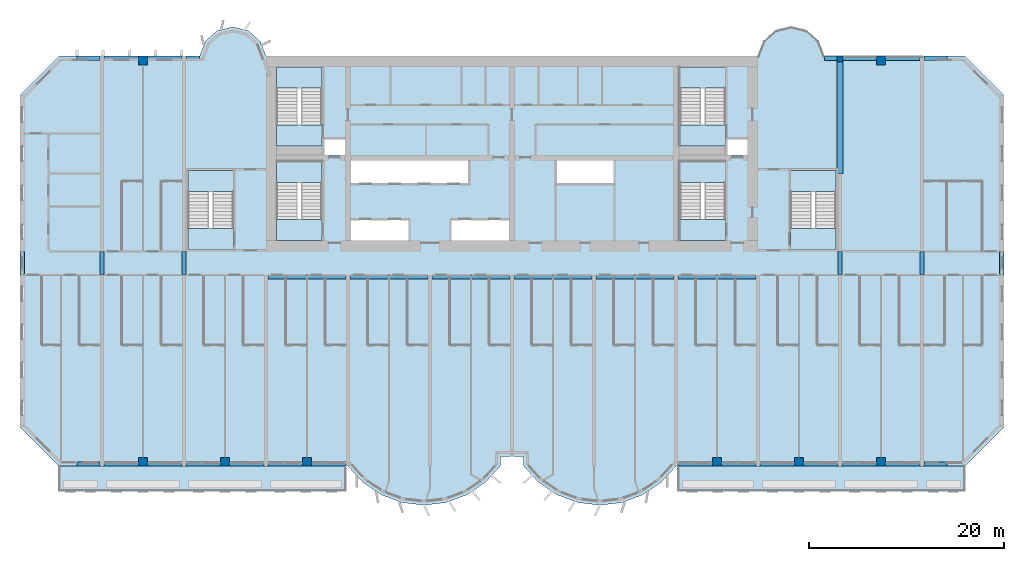
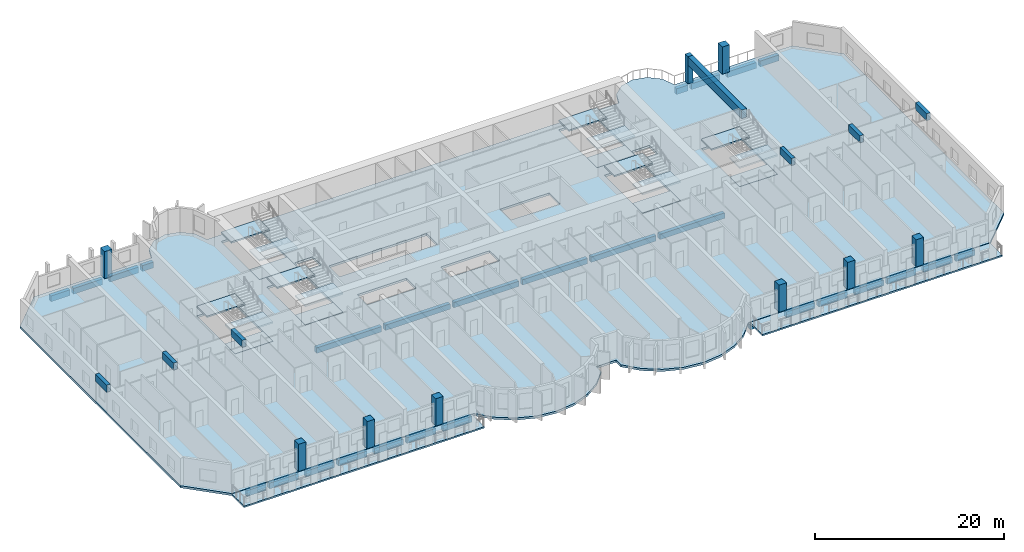
# One storey, part 1 of 14: 35 beams, 21 slabs, 9 columns, 6 elements without a shape of their own.
"""IFC4 building model written with IfcOpenShell, lengths in metres."""

from ifc_helpers import new_model, si_unit, direction, frame, origin, origin_2d, place, context, subcontext, project, spatial, polyline, rectangle, outline, extrude, source, transform, mapped, material, layer, layer_set, material_profile, profile_set, type_object, element, aggregate, save


model = new_model("IFC4")

# Units and contexts
model_context = context("Model", 3, precision=1e-05, world=origin(), true_north=direction((0.0, 1.0)))
body_context = subcontext(model_context, "Body", "Model", "MODEL_VIEW")
ifc_project = project(units=[si_unit("LENGTHUNIT", "METRE"), si_unit("AREAUNIT", "SQUARE_METRE"), si_unit("VOLUMEUNIT", "CUBIC_METRE"), si_unit("PLANEANGLEUNIT", "RADIAN"), si_unit("MASSUNIT", "GRAM", prefix="KILO")], contexts=[model_context])

# Site, building, storey
site_placement = place(None, origin())
site = spatial("IfcSite", under=ifc_project, at=site_placement, CompositionType="ELEMENT")
building_placement = place(site_placement, origin())
building = spatial("IfcBuilding", under=site, at=building_placement, Name="Vanashikhar Sky Hotel", CompositionType="ELEMENT")
storey_placement = place(building_placement, frame((0.0, 0.0, 27.800048828125)))
storey = spatial("IfcBuildingStorey", under=building, at=storey_placement, Name="L05", CompositionType="ELEMENT", Elevation=27.800048828125)

# Columns
ifc_material_1 = material(Name="Concrete M70", Category="concrete")
ifc_material_profile_1 = material_profile(ifc_material_1, rectangle(XDim=0.89990234375, YDim=0.89990234375, at=origin_2d()))
ifc_profile_set_1 = profile_set([ifc_material_profile_1], Name="RC 900x900 column Concrete M70")
column_type_1 = type_object("IfcColumnType", Name="RC 900x900 column Concrete M70", PredefinedType="COLUMN", material=ifc_profile_set_1)
shared_shape_1 = source(origin(), body_context, "Body", "SweptSolid", [
    extrude(rectangle(XDim=0.89990234375, YDim=0.89990234375, at=origin_2d()), origin(), (0.0, 0.0, 1.0), 3.52001953125),
])
for number, where, z_axis, x_axis, name in (
    (1, (12.60009765625, 0.449951171875, 0.0), (0.0, 0.0, 1.0), (1.0, 0.0, 0.0), "CL-L05-CF02"),
    (2, (21.0, 0.449951171875, 0.0), (0.0, 0.0, 1.0), (1.0, 0.0, 0.0), "CL-L05-CF03"),
    (3, (29.39990234375, 0.449951171875, 0.0), (0.0, 0.0, 1.0), (1.0, 0.0, 0.0), "CL-L05-CF04"),
    (4, (71.39990234375, 0.449951171875, 0.0), (0.0, 0.0, 1.0), (1.0, 0.0, 0.0), "CL-L05-CF09"),
    (5, (79.800048828125, 0.449951171875, 0.0), (0.0, 0.0, 1.0), (1.0, 0.0, 0.0), "CL-L05-CF10"),
    (6, (88.199951171875, 0.449951171875, 0.0), (0.0, 0.0, 1.0), (1.0, 0.0, 0.0), "CL-L05-CF11"),
    (7, (12.60009765625, 41.550048828125, 0.0), (0.0, 0.0, 1.0), (1.0, 0.0, 0.0), "CL-L05-CR02"),
    (8, (88.199951171875, 41.550048828125, 0.0), (0.0, 0.0, 1.0), (1.0, 0.0, 0.0), "CL-L05-CR11"),
):
    element("IfcColumn", number, at=place(storey_placement, frame(where, z_axis=z_axis, x_axis=x_axis)), inside=storey, type_object=column_type_1, Name=name, PredefinedType="COLUMN", context=body_context, shape_type="MappedRepresentation", body=[
        mapped(shared_shape_1, transform((0.0, 0.0, 0.0), scale=1.0)),
    ])
ifc_material_profile_2 = material_profile(ifc_material_1, rectangle(XDim=0.60009765625, YDim=0.60009765625, at=origin_2d()))
ifc_profile_set_2 = profile_set([ifc_material_profile_2], Name="RC 600x600 column Concrete M70")
column_type_2 = type_object("IfcColumnType", Name="RC 600x600 column Concrete M70", PredefinedType="COLUMN", material=ifc_profile_set_2)
shared_shape_2 = source(origin(), body_context, "Body", "SweptSolid", [
    extrude(rectangle(XDim=0.60009765625, YDim=0.60009765625, at=origin_2d()), origin(), (0.0, 0.0, 1.0), 3.52001953125),
])
column_placement = place(storey_placement, frame((84.0, 41.699951171875, 0.0), z_axis=(0.0, 0.0, 1.0), x_axis=(1.0, 0.0, 0.0)))
element("IfcColumn", 9, at=column_placement, inside=storey, type_object=column_type_2, Name="CL-L05-CRF", PredefinedType="COLUMN", context=body_context, shape_type="MappedRepresentation", body=[
    mapped(shared_shape_2, transform((0.0, 0.0, 0.0), scale=1.0)),
])

# Beams
ifc_material_2 = material(Name="Concrete M50", Category="concrete")
ifc_material_profile_3 = material_profile(ifc_material_2, rectangle(XDim=0.449951171875, YDim=0.89990234375, at=origin_2d()))
ifc_profile_set_3 = profile_set([ifc_material_profile_3], Name="RC 450x900 beam Concrete M50")
beam_type_1 = type_object("IfcBeamType", Name="RC 450x900 beam Concrete M50", PredefinedType="LINTEL", material=ifc_profile_set_3)
shared_shape_3 = source(origin(), body_context, "Body", "SweptSolid", [
    extrude(rectangle(XDim=0.449951171875, YDim=0.89990234375, at=origin_2d()), origin(), (0.0, 0.0, 1.0), 2.39990234375),
])
for number, where, z_axis, x_axis, name in (
    (10, (0.22509765625, 19.60009765625, 3.070068359375), (0.0, 1.0, 0.0), (-1.0, 0.0, 0.0), "LB-L05-XW01"),
    (11, (8.39990234375, 19.60009765625, 3.070068359375), (0.0, 1.0, 0.0), (-1.0, 0.0, 0.0), "LB-L05-XW02"),
    (12, (16.800048828125, 19.60009765625, 3.070068359375), (0.0, 1.0, 0.0), (-1.0, 0.0, 0.0), "LB-L05-XW03"),
    (13, (84.0, 19.60009765625, 3.070068359375), (0.0, 1.0, 0.0), (-1.0, 0.0, 0.0), "LB-L05-XW11"),
    (14, (92.39990234375, 19.60009765625, 3.070068359375), (0.0, 1.0, 0.0), (-1.0, 0.0, 0.0), "LB-L05-XW12"),
    (15, (100.574951171875, 19.60009765625, 3.070068359375), (0.0, 1.0, 0.0), (-1.0, 0.0, 0.0), "LB-L05-XW13"),
):
    element("IfcBeam", number, at=place(storey_placement, frame(where, z_axis=z_axis, x_axis=x_axis)), inside=storey, type_object=beam_type_1, Name=name, PredefinedType="LINTEL", context=body_context, shape_type="MappedRepresentation", body=[
        mapped(shared_shape_3, transform((0.0, 0.0, 0.0), scale=1.0)),
    ])
ifc_material_profile_4 = material_profile(ifc_material_2, rectangle(XDim=0.449951171875, YDim=0.75, at=origin_2d()))
ifc_profile_set_4 = profile_set([ifc_material_profile_4], Name="RC 450x750 beam Concrete M50")
beam_type_2 = type_object("IfcBeamType", Name="RC 450x750 beam Concrete M50", PredefinedType="SPANDREL", material=ifc_profile_set_4)
shared_shape_4 = source(origin(), body_context, "Body", "SweptSolid", [
    extrude(rectangle(XDim=0.449951171875, YDim=0.75, at=origin_2d()), origin(), (0.0, 0.0, 1.0), 3.52490234375),
])
for number, where, z_axis, x_axis, name in (
    (16, (8.625, 0.22509765625, -0.655029296875), (1.0, 0.0, 0.0), (0.0, 1.0, 0.0), "EB-L05-F01"),
    (17, (13.050048828125, 0.22509765625, -0.655029296875), (1.0, 0.0, 0.0), (0.0, 1.0, 0.0), "EB-L05-F02"),
    (18, (25.425048828125, 0.22509765625, -0.655029296875), (1.0, 0.0, 0.0), (0.0, 1.0, 0.0), "EB-L05-F05"),
    (19, (29.85009765625, 0.22509765625, -0.655029296875), (1.0, 0.0, 0.0), (0.0, 1.0, 0.0), "EB-L05-F06"),
    (20, (67.425048828125, 0.22509765625, -0.655029296875), (1.0, 0.0, 0.0), (0.0, 1.0, 0.0), "EB-L05-F08"),
    (21, (71.85009765625, 0.22509765625, -0.655029296875), (1.0, 0.0, 0.0), (0.0, 1.0, 0.0), "EB-L05-F09"),
    (22, (80.25, 0.22509765625, -0.655029296875), (1.0, 0.0, 0.0), (0.0, 1.0, 0.0), "EB-L05-F11"),
    (23, (84.22509765625, 0.22509765625, -0.655029296875), (1.0, 0.0, 0.0), (0.0, 1.0, 0.0), "EB-L05-F12"),
    (24, (8.625, 41.77490234375, -0.655029296875), (1.0, 0.0, 0.0), (0.0, 1.0, 0.0), "EB-L05-R01"),
    (25, (13.050048828125, 41.77490234375, -0.655029296875), (1.0, 0.0, 0.0), (0.0, 1.0, 0.0), "EB-L05-R02"),
    (26, (84.22509765625, 41.77490234375, -0.655029296875), (1.0, 0.0, 0.0), (0.0, 1.0, 0.0), "EB-L05-R05"),
):
    element("IfcBeam", number, at=place(storey_placement, frame(where, z_axis=z_axis, x_axis=x_axis)), inside=storey, type_object=beam_type_2, Name=name, PredefinedType="SPANDREL", context=body_context, shape_type="MappedRepresentation", body=[
        mapped(shared_shape_4, transform((0.0, 0.0, 0.0), scale=1.0)),
    ])
shared_shape_5 = source(origin(), body_context, "Body", "SweptSolid", [
    extrude(rectangle(XDim=0.449951171875, YDim=0.75, at=origin_2d()), origin(), (0.0, 0.0, 1.0), 3.525146484375),
])
for number, where, z_axis, x_axis, name in (
    (27, (17.02490234375, 0.22509765625, -0.655029296875), (1.0, 0.0, 0.0), (0.0, 1.0, 0.0), "EB-L05-F03"),
    (28, (21.449951171875, 0.22509765625, -0.655029296875), (1.0, 0.0, 0.0), (0.0, 1.0, 0.0), "EB-L05-F04"),
    (29, (75.824951171875, 0.22509765625, -0.655029296875), (1.0, 0.0, 0.0), (0.0, 1.0, 0.0), "EB-L05-F10"),
    (30, (88.64990234375, 0.22509765625, -0.655029296875), (1.0, 0.0, 0.0), (0.0, 1.0, 0.0), "EB-L05-F13"),
    (31, (88.64990234375, 41.77490234375, -0.655029296875), (1.0, 0.0, 0.0), (0.0, 1.0, 0.0), "EB-L05-R06"),
):
    element("IfcBeam", number, at=place(storey_placement, frame(where, z_axis=z_axis, x_axis=x_axis)), inside=storey, type_object=beam_type_2, Name=name, PredefinedType="SPANDREL", context=body_context, shape_type="MappedRepresentation", body=[
        mapped(shared_shape_5, transform((0.0, 0.0, 0.0), scale=1.0)),
    ])
ifc_material_profile_5 = material_profile(ifc_material_2, rectangle(XDim=0.449951171875, YDim=0.75, at=origin_2d()))
ifc_profile_set_5 = profile_set([ifc_material_profile_5], Name="RC 450x750 cantilever beam Concrete M50")
beam_type_3 = type_object("IfcBeamType", Name="RC 450x750 cantilever beam Concrete M50", PredefinedType="SPANDREL", material=ifc_profile_set_5)
shared_shape_6 = source(origin(), body_context, "Body", "SweptSolid", [
    extrude(rectangle(XDim=0.449951171875, YDim=0.75, at=origin_2d()), origin(), (0.0, 0.0, 1.0), 2.330078125),
])
for number, where, z_axis, x_axis, name in (
    (32, (5.844970703125, 0.22509765625, -0.655029296875), (1.0, 0.0, 0.0), (0.0, 1.0, 0.0), "EB-L05-F07"),
    (33, (92.625, 0.22509765625, -0.655029296875), (1.0, 0.0, 0.0), (0.0, 1.0, 0.0), "EB-L05-F14"),
    (34, (5.844970703125, 41.77490234375, -0.655029296875), (1.0, 0.0, 0.0), (0.0, 1.0, 0.0), "EB-L05-R03"),
    (35, (92.625, 41.77490234375, -0.655029296875), (1.0, 0.0, 0.0), (0.0, 1.0, 0.0), "EB-L05-R08"),
):
    element("IfcBeam", number, at=place(storey_placement, frame(where, z_axis=z_axis, x_axis=x_axis)), inside=storey, type_object=beam_type_3, Name=name, PredefinedType="SPANDREL", context=body_context, shape_type="MappedRepresentation", body=[
        mapped(shared_shape_6, transform((0.0, 0.0, 0.0), scale=1.0)),
    ])
shared_shape_7 = source(origin(), body_context, "Body", "SweptSolid", [
    extrude(rectangle(XDim=0.449951171875, YDim=0.75, at=origin_2d()), origin(), (0.0, 0.0, 1.0), 1.375),
])
for number, where, z_axis, x_axis, name in (
    (36, (17.02490234375, 41.77490234375, -0.655029296875), (1.0, 0.0, 0.0), (0.0, 1.0, 0.0), "EB-L05-R04"),
    (37, (82.39990234375, 41.77490234375, -0.655029296875), (1.0, 0.0, 0.0), (0.0, 1.0, 0.0), "EB-L05-R07"),
):
    element("IfcBeam", number, at=place(storey_placement, frame(where, z_axis=z_axis, x_axis=x_axis)), inside=storey, type_object=beam_type_3, Name=name, PredefinedType="SPANDREL", context=body_context, shape_type="MappedRepresentation", body=[
        mapped(shared_shape_7, transform((0.0, 0.0, 0.0), scale=1.0)),
    ])
ifc_material_profile_6 = material_profile(ifc_material_2, rectangle(XDim=0.449951171875, YDim=0.699951171875, at=origin_2d()))
ifc_profile_set_6 = profile_set([ifc_material_profile_6], Name="RC 450x700 beam Concrete M50")
beam_type_4 = type_object("IfcBeamType", Name="RC 450x700 beam Concrete M50", PredefinedType="BEAM", material=ifc_profile_set_6)
shared_shape_8 = source(origin(), body_context, "Body", "SweptSolid", [
    extrude(rectangle(XDim=0.449951171875, YDim=0.699951171875, at=origin_2d()), origin(), (0.0, 0.0, 1.0), 7.949951171875),
])
for number, where, z_axis, x_axis, name in (
    (38, (25.425048828125, 19.375, -0.630126953125), (1.0, 0.0, 0.0), (0.0, 1.0, 0.0), "CB-L05-01"),
    (39, (33.824951171875, 19.375, -0.630126953125), (1.0, 0.0, 0.0), (0.0, 1.0, 0.0), "CB-L05-02"),
    (40, (42.22509765625, 19.375, -0.630126953125), (1.0, 0.0, 0.0), (0.0, 1.0, 0.0), "CB-L05-03"),
    (41, (50.625, 19.375, -0.630126953125), (1.0, 0.0, 0.0), (0.0, 1.0, 0.0), "CB-L05-04"),
    (42, (67.425048828125, 19.375, -0.630126953125), (1.0, 0.0, 0.0), (0.0, 1.0, 0.0), "CB-L05-06"),
):
    element("IfcBeam", number, at=place(storey_placement, frame(where, z_axis=z_axis, x_axis=x_axis)), inside=storey, type_object=beam_type_4, Name=name, PredefinedType="BEAM", context=body_context, shape_type="MappedRepresentation", body=[
        mapped(shared_shape_8, transform((0.0, 0.0, 0.0), scale=1.0)),
    ])
shared_shape_9 = source(origin(), body_context, "Body", "SweptSolid", [
    extrude(rectangle(XDim=0.449951171875, YDim=0.699951171875, at=origin_2d()), origin(), (0.0, 0.0, 1.0), 7.9501953125),
])
beam_1_placement = place(storey_placement, frame((59.02490234375, 19.375, -0.630126953125), z_axis=(1.0, 0.0, 0.0), x_axis=(0.0, 1.0, 0.0)))
element("IfcBeam", 43, at=beam_1_placement, inside=storey, type_object=beam_type_4, Name="CB-L05-05", PredefinedType="BEAM", context=body_context, shape_type="MappedRepresentation", body=[
    mapped(shared_shape_9, transform((0.0, 0.0, 0.0), scale=1.0)),
])
ifc_material_profile_7 = material_profile(ifc_material_2, rectangle(XDim=0.60009765625, YDim=1.10009765625, at=origin_2d()))
ifc_profile_set_7 = profile_set([ifc_material_profile_7], Name="RC 600x1100 beam Concrete M50")
beam_type_5 = type_object("IfcBeamType", Name="RC 600x1100 beam Concrete M50", PredefinedType="BEAM", material=ifc_profile_set_7)
shared_shape_10 = source(origin(), body_context, "Body", "SweptSolid", [
    extrude(rectangle(XDim=0.60009765625, YDim=1.10009765625, at=origin_2d()), origin(), (0.0, 0.0, 1.0), 11.39990234375),
])
beam_2_placement = place(storey_placement, frame((84.0, 30.0, 2.969970703125), z_axis=(0.0, 1.0, 0.0), x_axis=(-1.0, 0.0, 0.0)))
element("IfcBeam", 44, at=beam_2_placement, inside=storey, type_object=beam_type_5, Name="LB-L05-XW11-O1", PredefinedType="BEAM", context=body_context, shape_type="MappedRepresentation", body=[
    mapped(shared_shape_10, transform((0.0, 0.0, 0.0), scale=1.0)),
])

# Slabs
ifc_material_3 = material(Name="Concrete M40", Category="concrete")
ifc_layer_1 = layer(ifc_material_3, 0.280029296875)
ifc_layer_set_1 = layer_set([ifc_layer_1], Name="Floor slab 280 mm")
slab_type_1 = type_object("IfcSlabType", Name="Floor slab 280 mm", PredefinedType="FLOOR", material=ifc_layer_set_1)
shared_shape_11 = source(origin(), body_context, "Body", "SweptSolid", [
    extrude(outline(polyline([(49.199951171875, 0.0), (49.199951171875, 1.0), (51.60009765625, 1.0), (51.60009765625, 0.0), (53.133056640625, -1.674072265625), (55.01708984375, -2.94189453125), (57.14599609375, -3.73193359375), (59.39990234375, -4.0), (61.654052734375, -3.73193359375), (63.782958984375, -2.94189453125), (65.6669921875, -1.674072265625), (67.199951171875, 0.0), (96.800048828125, 0.0), (100.800048828125, 4.0), (100.800048828125, 38.0), (96.800048828125, 42.0), (82.39990234375, 42.0), (81.81494140625, 43.527099609375), (80.587890625, 44.610107421875), (79.0, 45.0), (77.412109375, 44.610107421875), (76.18505859375, 43.527099609375), (75.60009765625, 42.0), (25.199951171875, 42.0), (24.614990234375, 43.527099609375), (23.387939453125, 44.610107421875), (21.800048828125, 45.0), (20.2119140625, 44.610107421875), (18.985107421875, 43.527099609375), (18.39990234375, 42.0), (4.0, 42.0), (0.0, 38.0), (0.0, 4.0), (4.0, 0.0), (33.60009765625, 0.0), (35.133056640625, -1.674072265625), (37.01708984375, -2.94189453125), (39.14599609375, -3.73193359375), (41.39990234375, -4.0), (43.654052734375, -3.73193359375), (45.782958984375, -2.94189453125), (47.6669921875, -1.674072265625), (49.199951171875, 0.0)]), holes=[polyline([(33.300048828125, 33.60009765625), (31.050048828125, 33.60009765625), (31.050048828125, 31.89990234375), (33.300048828125, 31.89990234375), (33.300048828125, 33.60009765625)]), polyline([(33.89990234375, 25.199951171875), (33.89990234375, 23.10009765625), (39.89990234375, 23.10009765625), (39.89990234375, 25.199951171875), (33.89990234375, 25.199951171875)]), polyline([(33.89990234375, 31.300048828125), (33.89990234375, 29.0), (45.89990234375, 29.0), (45.89990234375, 31.300048828125), (33.89990234375, 31.300048828125)]), polyline([(44.10009765625, 25.199951171875), (44.10009765625, 23.10009765625), (50.10009765625, 23.10009765625), (50.10009765625, 25.199951171875), (44.10009765625, 25.199951171875)]), polyline([(54.89990234375, 31.300048828125), (54.89990234375, 29.0), (60.89990234375, 29.0), (60.89990234375, 31.300048828125), (54.89990234375, 31.300048828125)]), polyline([(74.5, 33.60009765625), (72.35009765625, 33.60009765625), (72.35009765625, 31.89990234375), (74.5, 31.89990234375), (74.5, 33.60009765625)]), polyline([(30.949951171875, 23.10009765625), (30.949951171875, 31.199951171875), (26.300048828125, 31.199951171875), (26.300048828125, 23.10009765625), (30.949951171875, 23.10009765625)]), polyline([(72.25, 23.10009765625), (72.25, 31.199951171875), (67.60009765625, 31.199951171875), (67.60009765625, 23.10009765625), (72.25, 23.10009765625)]), polyline([(30.949951171875, 32.800048828125), (30.949951171875, 40.89990234375), (26.300048828125, 40.89990234375), (26.300048828125, 32.800048828125), (30.949951171875, 32.800048828125)]), polyline([(72.25, 32.800048828125), (72.25, 40.89990234375), (67.60009765625, 40.89990234375), (67.60009765625, 32.800048828125), (72.25, 32.800048828125)]), polyline([(83.60009765625, 22.199951171875), (83.60009765625, 30.300048828125), (78.949951171875, 30.300048828125), (78.949951171875, 22.199951171875), (83.60009765625, 22.199951171875)]), polyline([(21.85009765625, 22.199951171875), (21.85009765625, 30.300048828125), (17.199951171875, 30.300048828125), (17.199951171875, 22.199951171875), (21.85009765625, 22.199951171875)])]), origin(), (0.0, 0.0, 1.0), 0.280029296875),
])
slab_1_placement = place(storey_placement, frame((0.0, 0.0, -0.280029296875)))
element("IfcSlab", 45, at=slab_1_placement, inside=storey, type_object=slab_type_1, Name="Floor slab L05", PredefinedType="FLOOR", context=body_context, shape_type="MappedRepresentation", body=[
    mapped(shared_shape_11, transform((0.0, 0.0, 0.0), scale=1.0)),
])
ifc_layer_2 = layer(ifc_material_3, 0.199951171875)
ifc_layer_set_2 = layer_set([ifc_layer_2], Name="Balcony slab 200 mm")
slab_type_2 = type_object("IfcSlabType", Name="Balcony slab 200 mm", PredefinedType="USERDEFINED", material=ifc_layer_set_2)
shared_shape_12 = source(origin(), body_context, "Body", "SweptSolid", [
    extrude(outline(polyline([(4.0, -2.60009765625), (33.39990234375, -2.60009765625), (33.39990234375, 0.0), (4.0, 0.0), (4.0, -2.60009765625)])), origin(), (0.0, 0.0, 1.0), 0.199951171875),
])
slab_2_placement = place(storey_placement, frame((0.0, 0.0, -0.25)))
element("IfcSlab", 46, at=slab_2_placement, inside=storey, type_object=slab_type_2, Name="Balcony slab L05 1", ObjectType="BALCONY", PredefinedType="USERDEFINED", context=body_context, shape_type="MappedRepresentation", body=[
    mapped(shared_shape_12, transform((0.0, 0.0, 0.0), scale=1.0)),
])
shared_shape_13 = source(origin(), body_context, "Body", "SweptSolid", [
    extrude(outline(polyline([(67.39990234375, -2.60009765625), (96.800048828125, -2.60009765625), (96.800048828125, 0.0), (67.39990234375, 0.0), (67.39990234375, -2.60009765625)])), origin(), (0.0, 0.0, 1.0), 0.199951171875),
])
slab_3_placement = place(storey_placement, frame((0.0, 0.0, -0.25)))
element("IfcSlab", 47, at=slab_3_placement, inside=storey, type_object=slab_type_2, Name="Balcony slab L05 2", ObjectType="BALCONY", PredefinedType="USERDEFINED", context=body_context, shape_type="MappedRepresentation", body=[
    mapped(shared_shape_13, transform((0.0, 0.0, 0.0), scale=1.0)),
])

# Stair, slabs
stair_type = type_object("IfcStairType", Name="Exit stair 2150", PredefinedType="DOUBLE_RETURN_STAIR", material=ifc_material_3)
stair_1_placement = place(storey_placement, origin())
stair_1 = element("IfcStair", 48, at=stair_1_placement, inside=storey, type_object=stair_type, Name="L05 Exit stair 1", PredefinedType="DOUBLE_RETURN_STAIR")
ifc_layer_3 = layer(ifc_material_3, 0.199951171875)
ifc_layer_set_3 = layer_set([ifc_layer_3], Name="Stair landing 200")
slab_type_3 = type_object("IfcSlabType", Name="Stair landing 200", PredefinedType="LANDING", material=ifc_layer_set_3)
shared_shape_14 = source(origin(), body_context, "Body", "SweptSolid", [
    extrude(outline(polyline([(30.949951171875, 29.050048828125), (30.949951171875, 31.199951171875), (26.300048828125, 31.199951171875), (26.300048828125, 29.050048828125), (30.949951171875, 29.050048828125)])), origin(), (0.0, 0.0, 1.0), 0.199951171875),
])
slab_4_placement = place(storey_placement, frame((0.0, 0.0, 1.066650390625)))
slab_4 = element("IfcSlab", 49, at=slab_4_placement, type_object=slab_type_3, Name="ST-C1 landing 1", PredefinedType="LANDING", context=body_context, shape_type="MappedRepresentation", body=[
    mapped(shared_shape_14, transform((0.0, 0.0, 0.0), scale=1.0)),
])
shared_shape_15 = source(origin(), body_context, "Body", "SweptSolid", [
    extrude(outline(polyline([(30.949951171875, 23.10009765625), (30.949951171875, 25.25), (26.300048828125, 25.25), (26.300048828125, 23.10009765625), (30.949951171875, 23.10009765625)])), origin(), (0.0, 0.0, 1.0), 0.199951171875),
])
slab_5_placement = place(storey_placement, frame((0.0, 0.0, 2.333251953125)))
slab_5 = element("IfcSlab", 50, at=slab_5_placement, type_object=slab_type_3, Name="ST-C1 landing 2", PredefinedType="LANDING", context=body_context, shape_type="MappedRepresentation", body=[
    mapped(shared_shape_15, transform((0.0, 0.0, 0.0), scale=1.0)),
])
aggregate(stair_1, [slab_4, slab_5])

# Slab
ifc_layer_4 = layer(ifc_material_3, 0.280029296875)
ifc_layer_set_4 = layer_set([ifc_layer_4], Name="Stair floor landing 280")
slab_type_4 = type_object("IfcSlabType", Name="Stair floor landing 280", PredefinedType="LANDING", material=ifc_layer_set_4)
shared_shape_16 = source(origin(), body_context, "Body", "SweptSolid", [
    extrude(outline(polyline([(30.949951171875, 23.10009765625), (30.949951171875, 25.25), (26.300048828125, 25.25), (26.300048828125, 23.10009765625), (30.949951171875, 23.10009765625)])), origin(), (0.0, 0.0, 1.0), 0.280029296875),
])
slab_6_placement = place(storey_placement, frame((0.0, 0.0, -0.280029296875)))
element("IfcSlab", 51, at=slab_6_placement, inside=storey, type_object=slab_type_4, Name="Exit stair 1 floor landing", PredefinedType="LANDING", context=body_context, shape_type="MappedRepresentation", body=[
    mapped(shared_shape_16, transform((0.0, 0.0, 0.0), scale=1.0)),
])

# Stair, slabs
stair_2_placement = place(storey_placement, origin())
stair_2 = element("IfcStair", 52, at=stair_2_placement, inside=storey, type_object=stair_type, Name="L05 Exit stair 2", PredefinedType="DOUBLE_RETURN_STAIR")
shared_shape_17 = source(origin(), body_context, "Body", "SweptSolid", [
    extrude(outline(polyline([(72.25, 29.050048828125), (72.25, 31.199951171875), (67.60009765625, 31.199951171875), (67.60009765625, 29.050048828125), (72.25, 29.050048828125)])), origin(), (0.0, 0.0, 1.0), 0.199951171875),
])
slab_7_placement = place(storey_placement, frame((0.0, 0.0, 1.066650390625)))
slab_7 = element("IfcSlab", 53, at=slab_7_placement, type_object=slab_type_3, Name="ST-C2 landing 1", PredefinedType="LANDING", context=body_context, shape_type="MappedRepresentation", body=[
    mapped(shared_shape_17, transform((0.0, 0.0, 0.0), scale=1.0)),
])
shared_shape_18 = source(origin(), body_context, "Body", "SweptSolid", [
    extrude(outline(polyline([(72.25, 23.10009765625), (72.25, 25.25), (67.60009765625, 25.25), (67.60009765625, 23.10009765625), (72.25, 23.10009765625)])), origin(), (0.0, 0.0, 1.0), 0.199951171875),
])
slab_8_placement = place(storey_placement, frame((0.0, 0.0, 2.333251953125)))
slab_8 = element("IfcSlab", 54, at=slab_8_placement, type_object=slab_type_3, Name="ST-C2 landing 2", PredefinedType="LANDING", context=body_context, shape_type="MappedRepresentation", body=[
    mapped(shared_shape_18, transform((0.0, 0.0, 0.0), scale=1.0)),
])
aggregate(stair_2, [slab_7, slab_8])

# Slab
shared_shape_19 = source(origin(), body_context, "Body", "SweptSolid", [
    extrude(outline(polyline([(72.25, 23.10009765625), (72.25, 25.25), (67.60009765625, 25.25), (67.60009765625, 23.10009765625), (72.25, 23.10009765625)])), origin(), (0.0, 0.0, 1.0), 0.280029296875),
])
slab_9_placement = place(storey_placement, frame((0.0, 0.0, -0.280029296875)))
element("IfcSlab", 55, at=slab_9_placement, inside=storey, type_object=slab_type_4, Name="Exit stair 2 floor landing", PredefinedType="LANDING", context=body_context, shape_type="MappedRepresentation", body=[
    mapped(shared_shape_19, transform((0.0, 0.0, 0.0), scale=1.0)),
])

# Stair, slabs
stair_3_placement = place(storey_placement, origin())
stair_3 = element("IfcStair", 56, at=stair_3_placement, inside=storey, type_object=stair_type, Name="L05 Exit stair 3", PredefinedType="DOUBLE_RETURN_STAIR")
shared_shape_20 = source(origin(), body_context, "Body", "SweptSolid", [
    extrude(outline(polyline([(21.85009765625, 28.14990234375), (21.85009765625, 30.300048828125), (17.199951171875, 30.300048828125), (17.199951171875, 28.14990234375), (21.85009765625, 28.14990234375)])), origin(), (0.0, 0.0, 1.0), 0.199951171875),
])
slab_10_placement = place(storey_placement, frame((0.0, 0.0, 1.066650390625)))
slab_10 = element("IfcSlab", 57, at=slab_10_placement, type_object=slab_type_3, Name="ST-W landing 1", PredefinedType="LANDING", context=body_context, shape_type="MappedRepresentation", body=[
    mapped(shared_shape_20, transform((0.0, 0.0, 0.0), scale=1.0)),
])
shared_shape_21 = source(origin(), body_context, "Body", "SweptSolid", [
    extrude(outline(polyline([(21.85009765625, 22.199951171875), (21.85009765625, 24.35009765625), (17.199951171875, 24.35009765625), (17.199951171875, 22.199951171875), (21.85009765625, 22.199951171875)])), origin(), (0.0, 0.0, 1.0), 0.199951171875),
])
slab_11_placement = place(storey_placement, frame((0.0, 0.0, 2.333251953125)))
slab_11 = element("IfcSlab", 58, at=slab_11_placement, type_object=slab_type_3, Name="ST-W landing 2", PredefinedType="LANDING", context=body_context, shape_type="MappedRepresentation", body=[
    mapped(shared_shape_21, transform((0.0, 0.0, 0.0), scale=1.0)),
])
aggregate(stair_3, [slab_10, slab_11])

# Slab
shared_shape_22 = source(origin(), body_context, "Body", "SweptSolid", [
    extrude(outline(polyline([(21.85009765625, 22.199951171875), (21.85009765625, 24.35009765625), (17.199951171875, 24.35009765625), (17.199951171875, 22.199951171875), (21.85009765625, 22.199951171875)])), origin(), (0.0, 0.0, 1.0), 0.280029296875),
])
slab_12_placement = place(storey_placement, frame((0.0, 0.0, -0.280029296875)))
element("IfcSlab", 59, at=slab_12_placement, inside=storey, type_object=slab_type_4, Name="Exit stair 3 floor landing", PredefinedType="LANDING", context=body_context, shape_type="MappedRepresentation", body=[
    mapped(shared_shape_22, transform((0.0, 0.0, 0.0), scale=1.0)),
])

# Stair, slabs
stair_4_placement = place(storey_placement, origin())
stair_4 = element("IfcStair", 60, at=stair_4_placement, inside=storey, type_object=stair_type, Name="L05 Exit stair 4", PredefinedType="DOUBLE_RETURN_STAIR")
shared_shape_23 = source(origin(), body_context, "Body", "SweptSolid", [
    extrude(outline(polyline([(83.60009765625, 28.14990234375), (83.60009765625, 30.300048828125), (78.949951171875, 30.300048828125), (78.949951171875, 28.14990234375), (83.60009765625, 28.14990234375)])), origin(), (0.0, 0.0, 1.0), 0.199951171875),
])
slab_13_placement = place(storey_placement, frame((0.0, 0.0, 1.066650390625)))
slab_13 = element("IfcSlab", 61, at=slab_13_placement, type_object=slab_type_3, Name="ST-E landing 1", PredefinedType="LANDING", context=body_context, shape_type="MappedRepresentation", body=[
    mapped(shared_shape_23, transform((0.0, 0.0, 0.0), scale=1.0)),
])
shared_shape_24 = source(origin(), body_context, "Body", "SweptSolid", [
    extrude(outline(polyline([(83.60009765625, 22.199951171875), (83.60009765625, 24.35009765625), (78.949951171875, 24.35009765625), (78.949951171875, 22.199951171875), (83.60009765625, 22.199951171875)])), origin(), (0.0, 0.0, 1.0), 0.199951171875),
])
slab_14_placement = place(storey_placement, frame((0.0, 0.0, 2.333251953125)))
slab_14 = element("IfcSlab", 62, at=slab_14_placement, type_object=slab_type_3, Name="ST-E landing 2", PredefinedType="LANDING", context=body_context, shape_type="MappedRepresentation", body=[
    mapped(shared_shape_24, transform((0.0, 0.0, 0.0), scale=1.0)),
])
aggregate(stair_4, [slab_13, slab_14])

# Slab
shared_shape_25 = source(origin(), body_context, "Body", "SweptSolid", [
    extrude(outline(polyline([(83.60009765625, 22.199951171875), (83.60009765625, 24.35009765625), (78.949951171875, 24.35009765625), (78.949951171875, 22.199951171875), (83.60009765625, 22.199951171875)])), origin(), (0.0, 0.0, 1.0), 0.280029296875),
])
slab_15_placement = place(storey_placement, frame((0.0, 0.0, -0.280029296875)))
element("IfcSlab", 63, at=slab_15_placement, inside=storey, type_object=slab_type_4, Name="Exit stair 4 floor landing", PredefinedType="LANDING", context=body_context, shape_type="MappedRepresentation", body=[
    mapped(shared_shape_25, transform((0.0, 0.0, 0.0), scale=1.0)),
])

# Stair, slabs
stair_5_placement = place(storey_placement, origin())
stair_5 = element("IfcStair", 64, at=stair_5_placement, inside=storey, type_object=stair_type, Name="L05 Exit stair 5", PredefinedType="DOUBLE_RETURN_STAIR")
shared_shape_26 = source(origin(), body_context, "Body", "SweptSolid", [
    extrude(outline(polyline([(30.949951171875, 38.75), (30.949951171875, 40.89990234375), (26.300048828125, 40.89990234375), (26.300048828125, 38.75), (30.949951171875, 38.75)])), origin(), (0.0, 0.0, 1.0), 0.199951171875),
])
slab_16_placement = place(storey_placement, frame((0.0, 0.0, 1.066650390625)))
slab_16 = element("IfcSlab", 65, at=slab_16_placement, type_object=slab_type_3, Name="ST-C3 landing 1", PredefinedType="LANDING", context=body_context, shape_type="MappedRepresentation", body=[
    mapped(shared_shape_26, transform((0.0, 0.0, 0.0), scale=1.0)),
])
shared_shape_27 = source(origin(), body_context, "Body", "SweptSolid", [
    extrude(outline(polyline([(30.949951171875, 32.800048828125), (30.949951171875, 34.949951171875), (26.300048828125, 34.949951171875), (26.300048828125, 32.800048828125), (30.949951171875, 32.800048828125)])), origin(), (0.0, 0.0, 1.0), 0.199951171875),
])
slab_17_placement = place(storey_placement, frame((0.0, 0.0, 2.333251953125)))
slab_17 = element("IfcSlab", 66, at=slab_17_placement, type_object=slab_type_3, Name="ST-C3 landing 2", PredefinedType="LANDING", context=body_context, shape_type="MappedRepresentation", body=[
    mapped(shared_shape_27, transform((0.0, 0.0, 0.0), scale=1.0)),
])
aggregate(stair_5, [slab_16, slab_17])

# Slab
shared_shape_28 = source(origin(), body_context, "Body", "SweptSolid", [
    extrude(outline(polyline([(30.949951171875, 32.800048828125), (30.949951171875, 34.949951171875), (26.300048828125, 34.949951171875), (26.300048828125, 32.800048828125), (30.949951171875, 32.800048828125)])), origin(), (0.0, 0.0, 1.0), 0.280029296875),
])
slab_18_placement = place(storey_placement, frame((0.0, 0.0, -0.280029296875)))
element("IfcSlab", 67, at=slab_18_placement, inside=storey, type_object=slab_type_4, Name="Exit stair 5 floor landing", PredefinedType="LANDING", context=body_context, shape_type="MappedRepresentation", body=[
    mapped(shared_shape_28, transform((0.0, 0.0, 0.0), scale=1.0)),
])

# Stair, slabs
stair_6_placement = place(storey_placement, origin())
stair_6 = element("IfcStair", 68, at=stair_6_placement, inside=storey, type_object=stair_type, Name="L05 Exit stair 6", PredefinedType="DOUBLE_RETURN_STAIR")
shared_shape_29 = source(origin(), body_context, "Body", "SweptSolid", [
    extrude(outline(polyline([(72.25, 38.75), (72.25, 40.89990234375), (67.60009765625, 40.89990234375), (67.60009765625, 38.75), (72.25, 38.75)])), origin(), (0.0, 0.0, 1.0), 0.199951171875),
])
slab_19_placement = place(storey_placement, frame((0.0, 0.0, 1.066650390625)))
slab_19 = element("IfcSlab", 69, at=slab_19_placement, type_object=slab_type_3, Name="ST-C4 landing 1", PredefinedType="LANDING", context=body_context, shape_type="MappedRepresentation", body=[
    mapped(shared_shape_29, transform((0.0, 0.0, 0.0), scale=1.0)),
])
shared_shape_30 = source(origin(), body_context, "Body", "SweptSolid", [
    extrude(outline(polyline([(72.25, 32.800048828125), (72.25, 34.949951171875), (67.60009765625, 34.949951171875), (67.60009765625, 32.800048828125), (72.25, 32.800048828125)])), origin(), (0.0, 0.0, 1.0), 0.199951171875),
])
slab_20_placement = place(storey_placement, frame((0.0, 0.0, 2.333251953125)))
slab_20 = element("IfcSlab", 70, at=slab_20_placement, type_object=slab_type_3, Name="ST-C4 landing 2", PredefinedType="LANDING", context=body_context, shape_type="MappedRepresentation", body=[
    mapped(shared_shape_30, transform((0.0, 0.0, 0.0), scale=1.0)),
])
aggregate(stair_6, [slab_19, slab_20])

# Slab
shared_shape_31 = source(origin(), body_context, "Body", "SweptSolid", [
    extrude(outline(polyline([(72.25, 32.800048828125), (72.25, 34.949951171875), (67.60009765625, 34.949951171875), (67.60009765625, 32.800048828125), (72.25, 32.800048828125)])), origin(), (0.0, 0.0, 1.0), 0.280029296875),
])
slab_21_placement = place(storey_placement, frame((0.0, 0.0, -0.280029296875)))
element("IfcSlab", 71, at=slab_21_placement, inside=storey, type_object=slab_type_4, Name="Exit stair 6 floor landing", PredefinedType="LANDING", context=body_context, shape_type="MappedRepresentation", body=[
    mapped(shared_shape_31, transform((0.0, 0.0, 0.0), scale=1.0)),
])

save(model, "model.ifc")
